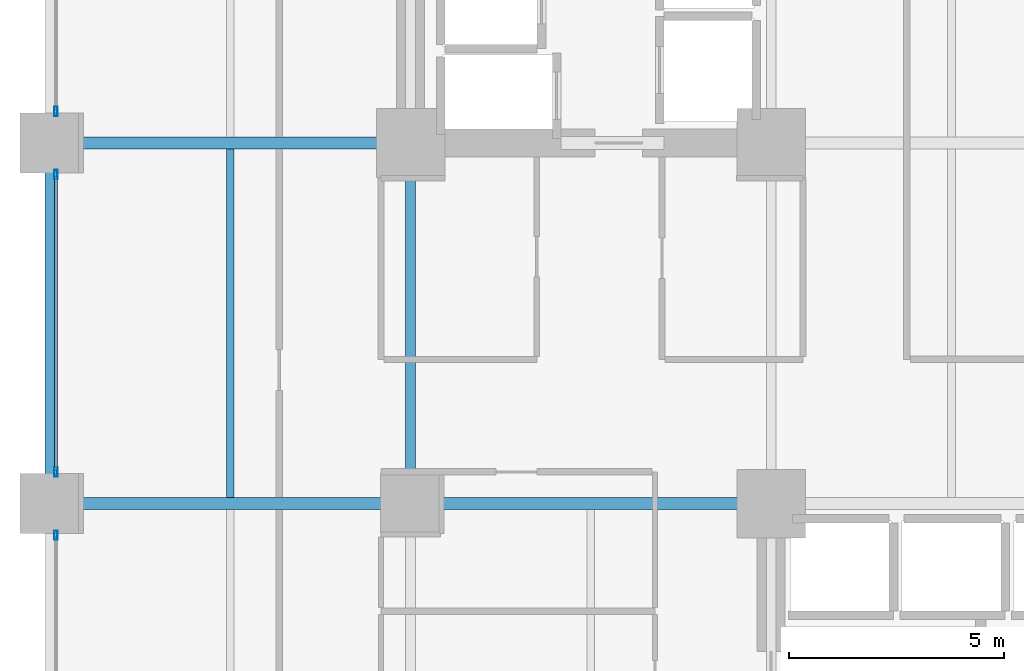
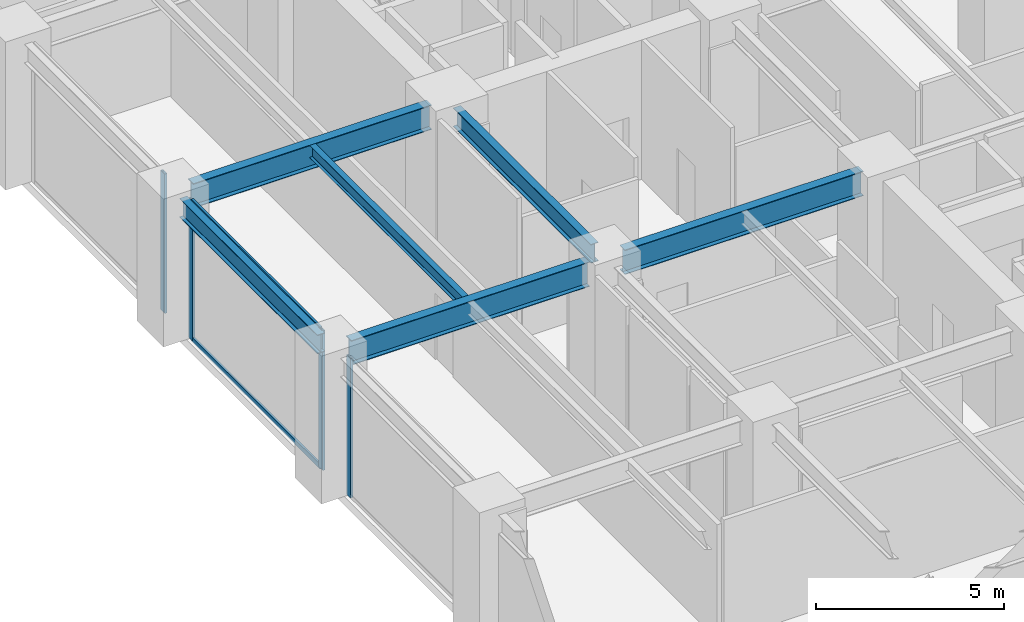
# One storey, part 4 of 23: 6 beams, 6 members, 3 elements without a shape of their own.
"""IFC4 building model written with IfcOpenShell, lengths in metres."""

from ifc_helpers import new_model, si_unit, direction, frame, origin, origin_2d, place, context, subcontext, project, spatial, hollow_rectangle, i_section, extrude, material, layer, layer_set, material_profile, profile_set, type_object, element, aggregate, save


model = new_model("IFC4")

# Units and contexts
model_context = context("Model", 3, precision=1e-05, world=origin(), true_north=direction((0.0, 1.0)))
body_context = subcontext(model_context, "Body", "Model", "MODEL_VIEW")
ifc_project = project(units=[si_unit("LENGTHUNIT", "METRE"), si_unit("AREAUNIT", "SQUARE_METRE"), si_unit("VOLUMEUNIT", "CUBIC_METRE"), si_unit("PLANEANGLEUNIT", "RADIAN"), si_unit("MASSUNIT", "GRAM", prefix="KILO")], contexts=[model_context])

# Site, building, storey
site_placement = place(None, origin())
site = spatial("IfcSite", under=ifc_project, at=site_placement, CompositionType="ELEMENT")
building_placement = place(site_placement, origin())
building = spatial("IfcBuilding", under=site, at=building_placement, Name="Nerrivon Quay Data Exchange", CompositionType="ELEMENT")
storey_placement = place(building_placement, frame((0.0, 0.0, 5.39990234375)))
storey = spatial("IfcBuildingStorey", under=building, at=storey_placement, Name="L01", CompositionType="ELEMENT", Elevation=5.39990234375)

# Beams
ifc_material_1 = material(Name="Steel Grade 350", Category="steel")
ifc_material_profile_1 = material_profile(ifc_material_1, i_section(OverallWidth=0.22900390625, OverallDepth=0.612060546875, WebThickness=0.011962890625, FlangeThickness=0.01953125, FilletRadius=0.013916015625, at=origin_2d()), Name="610UB125")
ifc_profile_set_1 = profile_set([ifc_material_profile_1], Name="Steel Grade 350")
beam_type_1 = type_object("IfcBeamType", Name="BM-G1-610UB125", PredefinedType="BEAM", material=ifc_profile_set_1)
for number, where, z_axis, x_axis, name in (
    (1, (0.0, 17.340087890625, 4.218994140625), (0.0, 1.0, 0.0), (-1.0, 0.0, 0.0), "L01 NS Girder X=0.0 (16.8..25.2)"),
    (2, (8.39990234375, 17.340087890625, 4.218994140625), (0.0, 1.0, 0.0), (-1.0, 0.0, 0.0), "L01 NS Girder X=8.4 (16.8..25.2)"),
):
    element("IfcBeam", number, at=place(storey_placement, frame(where, z_axis=z_axis, x_axis=x_axis)), inside=storey, type_object=beam_type_1, Name=name, PredefinedType="BEAM", context=body_context, shape_type="SweptSolid", body=[
        extrude(i_section(OverallWidth=0.22900390625, OverallDepth=0.612060546875, WebThickness=0.011962890625, FlangeThickness=0.01953125, FilletRadius=0.013916015625, at=origin_2d()), origin(), (0.0, 0.0, 1.0), 7.31982421875),
    ])
ifc_material_profile_2 = material_profile(ifc_material_1, i_section(OverallWidth=0.27490234375, OverallDepth=0.800048828125, WebThickness=0.010009765625, FlangeThickness=0.02001953125, at=origin_2d()), Name="800WB146")
ifc_profile_set_2 = profile_set([ifc_material_profile_2], Name="Steel Grade 350")
beam_type_2 = type_object("IfcBeamType", Name="BM-G8-800WB146", PredefinedType="BEAM", material=ifc_profile_set_2)
for number, where, z_axis, x_axis, name in (
    (3, (0.5400390625, 16.800048828125, 4.125), (1.0, 0.0, 0.0), (0.0, 1.0, 0.0), "L01 EW Girder Y=16.8 (0.0..8.4)"),
    (4, (8.93994140625, 16.800048828125, 4.125), (1.0, 0.0, 0.0), (0.0, 1.0, 0.0), "L01 EW Girder Y=16.8 (8.4..16.8)"),
    (5, (0.5400390625, 25.199951171875, 4.125), (1.0, 0.0, 0.0), (0.0, 1.0, 0.0), "L01 EW Girder Y=25.2 (0.0..8.4)"),
):
    element("IfcBeam", number, at=place(storey_placement, frame(where, z_axis=z_axis, x_axis=x_axis)), inside=storey, type_object=beam_type_2, Name=name, PredefinedType="BEAM", context=body_context, shape_type="SweptSolid", body=[
        extrude(i_section(OverallWidth=0.27490234375, OverallDepth=0.800048828125, WebThickness=0.010009765625, FlangeThickness=0.02001953125, at=origin_2d()), origin(), (0.0, 0.0, 1.0), 7.320068359375),
    ])
ifc_material_profile_3 = material_profile(ifc_material_1, i_section(OverallWidth=0.177978515625, OverallDepth=0.403076171875, WebThickness=0.007568359375, FlangeThickness=0.010986328125, FilletRadius=0.011474609375, at=origin_2d()), Name="410UB53.7")
ifc_profile_set_3 = profile_set([ifc_material_profile_3], Name="Steel Grade 350")
beam_type_3 = type_object("IfcBeamType", Name="BM-J2-410UB54", PredefinedType="JOIST", material=ifc_profile_set_3)
beam_placement = place(storey_placement, frame((4.199951171875, 16.9375, 4.323486328125), z_axis=(0.0, 1.0, 0.0), x_axis=(-1.0, 0.0, 0.0)))
element("IfcBeam", 6, at=beam_placement, inside=storey, type_object=beam_type_3, Name="L01 Secondary Joist X=4.2 (16.8..25.2)", PredefinedType="JOIST", context=body_context, shape_type="SweptSolid", body=[
    extrude(i_section(OverallWidth=0.177978515625, OverallDepth=0.403076171875, WebThickness=0.007568359375, FlangeThickness=0.010986328125, FilletRadius=0.011474609375, at=origin_2d()), origin(), (0.0, 0.0, 1.0), 8.125),
])

# Curtain wall, member
ifc_material_2 = material(Name="Anodised aluminium 6063-T6", Category="aluminium")
ifc_layer = layer(ifc_material_2, 0.239990234375)
ifc_layer_set = layer_set([ifc_layer], Name="Anodised aluminium 6063-T6")
curtain_wall_type = type_object("IfcCurtainWallType", Name="CW-SYS-03", PredefinedType="NOTDEFINED", material=ifc_layer_set)
curtain_wall_1_placement = place(storey_placement, origin())
curtain_wall_1 = element("IfcCurtainWall", 7, at=curtain_wall_1_placement, inside=storey, type_object=curtain_wall_type, Name="L01 Unitised Curtain Wall 2", PredefinedType="NOTDEFINED")
ifc_material_profile_4 = material_profile(ifc_material_2, hollow_rectangle(XDim=0.074951171875, YDim=0.219970703125, WallThickness=0.00390625, at=origin_2d()), Name="ALU-MULL-220x75")
ifc_profile_set_4 = profile_set([ifc_material_profile_4], Name="Anodised aluminium 6063-T6")
member_type_1 = type_object("IfcMemberType", Name="CWM-220x75", PredefinedType="MULLION", material=ifc_profile_set_4)
member_1_placement = place(storey_placement, frame((0.139892578125, 16.0625, 0.0), z_axis=(0.0, 0.0, 1.0), x_axis=(-1.0, 0.0, 0.0)))
member_1 = element("IfcMember", 8, at=member_1_placement, type_object=member_type_1, Name="CW03 mullion 2", PredefinedType="MULLION", context=body_context, shape_type="SweptSolid", body=[
    extrude(hollow_rectangle(XDim=0.074951171875, YDim=0.219970703125, WallThickness=0.00390625, at=origin_2d()), origin(), (0.0, 0.0, 1.0), 4.525146484375),
])
aggregate(curtain_wall_1, [member_1])

# Curtain wall, members
curtain_wall_2_placement = place(storey_placement, origin())
curtain_wall_2 = element("IfcCurtainWall", 9, at=curtain_wall_2_placement, inside=storey, type_object=curtain_wall_type, Name="L01 Unitised Curtain Wall 3", PredefinedType="NOTDEFINED")
member_2_placement = place(storey_placement, frame((0.139892578125, 17.53759765625, 0.0), z_axis=(0.0, 0.0, 1.0), x_axis=(-1.0, 0.0, 0.0)))
member_2 = element("IfcMember", 10, at=member_2_placement, type_object=member_type_1, Name="CW03 mullion 1", PredefinedType="MULLION", context=body_context, shape_type="SweptSolid", body=[
    extrude(hollow_rectangle(XDim=0.074951171875, YDim=0.219970703125, WallThickness=0.00390625, at=origin_2d()), origin(), (0.0, 0.0, 1.0), 4.525146484375),
])
member_3_placement = place(storey_placement, frame((0.139892578125, 24.46240234375, 0.0), z_axis=(0.0, 0.0, 1.0), x_axis=(-1.0, 0.0, 0.0)))
member_3 = element("IfcMember", 11, at=member_3_placement, type_object=member_type_1, Name="CW03 mullion 2", PredefinedType="MULLION", context=body_context, shape_type="SweptSolid", body=[
    extrude(hollow_rectangle(XDim=0.074951171875, YDim=0.219970703125, WallThickness=0.00390625, at=origin_2d()), origin(), (0.0, 0.0, 1.0), 4.525146484375),
])

# Curtain wall, member
curtain_wall_3_placement = place(storey_placement, origin())
curtain_wall_3 = element("IfcCurtainWall", 12, at=curtain_wall_3_placement, inside=storey, type_object=curtain_wall_type, Name="L01 Unitised Curtain Wall 4", PredefinedType="NOTDEFINED")
member_4_placement = place(storey_placement, frame((0.139892578125, 25.9375, 0.0), z_axis=(0.0, 0.0, 1.0), x_axis=(-1.0, 0.0, 0.0)))
member_4 = element("IfcMember", 13, at=member_4_placement, type_object=member_type_1, Name="CW03 mullion 1", PredefinedType="MULLION", context=body_context, shape_type="SweptSolid", body=[
    extrude(hollow_rectangle(XDim=0.074951171875, YDim=0.219970703125, WallThickness=0.00390625, at=origin_2d()), origin(), (0.0, 0.0, 1.0), 4.525146484375),
])
aggregate(curtain_wall_3, [member_4])

# Member
ifc_material_profile_5 = material_profile(ifc_material_2, hollow_rectangle(XDim=0.06494140625, YDim=0.14990234375, WallThickness=0.00341796875, at=origin_2d()), Name="ALU-TRAN-150x65")
ifc_profile_set_5 = profile_set([ifc_material_profile_5], Name="Anodised aluminium 6063-T6")
member_type_2 = type_object("IfcMemberType", Name="CWT-150x65", PredefinedType="USERDEFINED", material=ifc_profile_set_5)
member_5_placement = place(storey_placement, frame((0.139892578125, 17.574951171875, 0.03271484375), z_axis=(0.0, 1.0, 0.0), x_axis=(-1.0, 0.0, 0.0)))
member_5 = element("IfcMember", 14, at=member_5_placement, type_object=member_type_2, Name="CW03 transom 1.1", ObjectType="TRANSOM", PredefinedType="USERDEFINED", context=body_context, shape_type="SweptSolid", body=[
    extrude(hollow_rectangle(XDim=0.06494140625, YDim=0.14990234375, WallThickness=0.00341796875, at=origin_2d()), origin(), (0.0, 0.0, 1.0), 6.85009765625),
])

member_6_placement = place(storey_placement, frame((0.139892578125, 17.574951171875, 4.49267578125), z_axis=(0.0, 1.0, 0.0), x_axis=(-1.0, 0.0, 0.0)))
member_6 = element("IfcMember", 15, at=member_6_placement, type_object=member_type_2, Name="CW03 transom 1.2", ObjectType="TRANSOM", PredefinedType="USERDEFINED", context=body_context, shape_type="SweptSolid", body=[
    extrude(hollow_rectangle(XDim=0.06494140625, YDim=0.14990234375, WallThickness=0.00341796875, at=origin_2d()), origin(), (0.0, 0.0, 1.0), 6.85009765625),
])

aggregate(curtain_wall_2, [member_2, member_3, member_5, member_6])

save(model, "model.ifc")
